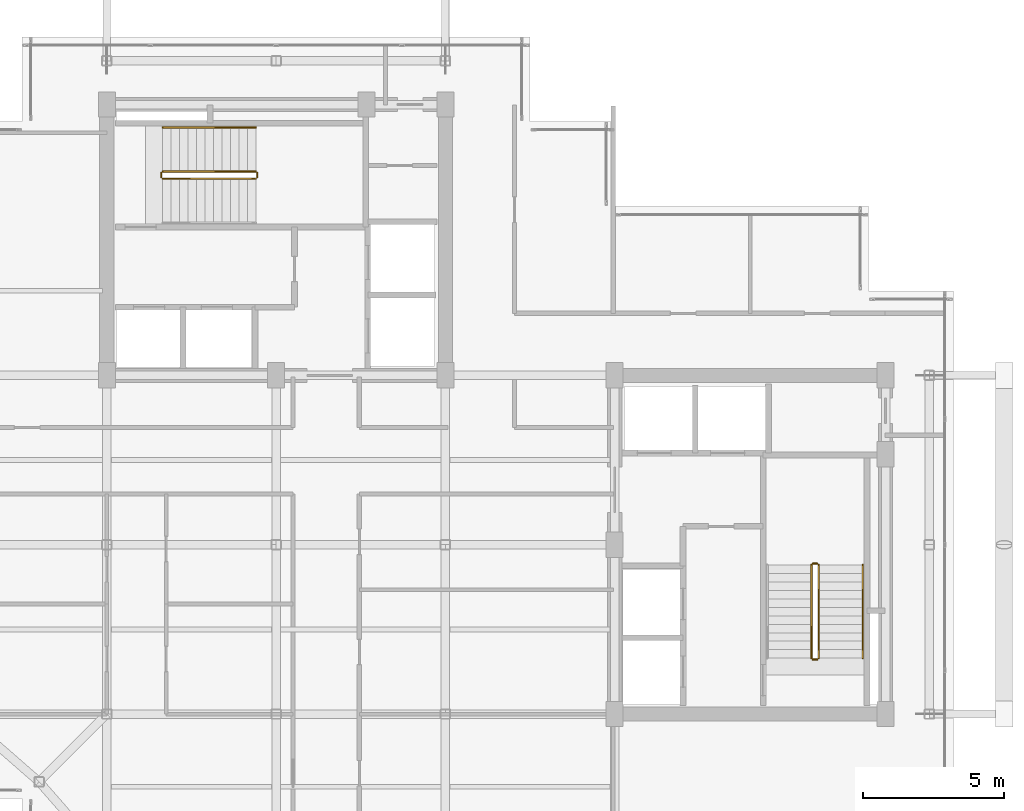
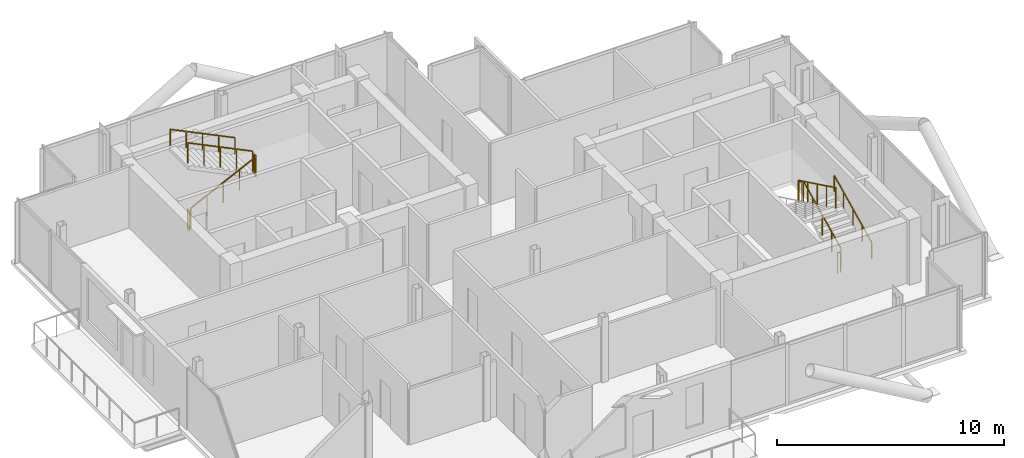
# One storey, part 18 of 18: 10 railings.
"""IFC4 building model written with IfcOpenShell, lengths in metres."""

from ifc_helpers import new_model, si_unit, direction, frame, origin, origin_2d, place, context, subcontext, project, spatial, rectangle, extrude, material, type_object, element, save


model = new_model("IFC4")

# Units and contexts
model_context = context("Model", 3, precision=1e-05, world=origin(), true_north=direction((0.0, 1.0)))
body_context = subcontext(model_context, "Body", "Model", "MODEL_VIEW")
ifc_project = project(units=[si_unit("LENGTHUNIT", "METRE"), si_unit("AREAUNIT", "SQUARE_METRE"), si_unit("VOLUMEUNIT", "CUBIC_METRE"), si_unit("PLANEANGLEUNIT", "RADIAN"), si_unit("MASSUNIT", "GRAM", prefix="KILO"), si_unit("THERMODYNAMICTEMPERATUREUNIT", "KELVIN"), si_unit("POWERUNIT", "WATT")], contexts=[model_context])

# Site, building, storey
site_placement = place(None, origin())
site = spatial("IfcSite", under=ifc_project, at=site_placement, CompositionType="ELEMENT")
building_placement = place(site_placement, origin())
building = spatial("IfcBuilding", under=site, at=building_placement, Name="Svarakhadi Broadcast Tower", CompositionType="ELEMENT")
storey_placement = place(building_placement, frame((0.0, 0.0, 264.199951171875)))
storey = spatial("IfcBuildingStorey", under=building, at=storey_placement, Name="L66", CompositionType="ELEMENT", Elevation=264.199951171875)

# Railings
ifc_material = material(Name="Anodised Bronze Aluminium AA 6063-T6", Category="aluminium")
railing_type_1 = type_object("IfcRailingType", Name="Guard_Stair_GR01", PredefinedType="GUARDRAIL", material=ifc_material)
railing_1_placement = place(storey_placement, frame((7.97998046875, 24.969970703125, 0.14599609375)))
element("IfcRailing", 1, at=railing_1_placement, inside=storey, type_object=railing_type_1, Name="L66 ST-01 stair guard 1", PredefinedType="GUARDRAIL", context=body_context, shape_type="SweptSolid", body=[
    extrude(rectangle(XDim=0.048095703125, YDim=0.048095703125, at=origin_2d()), frame((0.0, 0.0, 1.09619140625), z_axis=(0.899387838337, 0.0, 0.437151594131), x_axis=(0.0, 1.0, 0.0)), (0.0, 0.0, 1.0), 3.669189453125),
    extrude(rectangle(XDim=0.0419921875, YDim=0.0419921875, at=origin_2d()), origin(), (0.0, 0.0, 1.0), 1.072021484375),
    extrude(rectangle(XDim=0.0419921875, YDim=0.0419921875, at=origin_2d()), frame((0.824951171875, 0.0, 0.40087890625)), (0.0, 0.0, 1.0), 1.072021484375),
    extrude(rectangle(XDim=0.0419921875, YDim=0.0419921875, at=origin_2d()), frame((1.64990234375, 0.0, 0.802001953125)), (0.0, 0.0, 1.0), 1.072021484375),
    extrude(rectangle(XDim=0.0419921875, YDim=0.0419921875, at=origin_2d()), frame((2.47509765625, 0.0, 1.203125)), (0.0, 0.0, 1.0), 1.072021484375),
    extrude(rectangle(XDim=0.0419921875, YDim=0.0419921875, at=origin_2d()), frame((3.300048828125, 0.0, 1.60400390625)), (0.0, 0.0, 1.0), 1.072021484375),
])
railing_2_placement = place(storey_placement, frame((11.330078125, 25.02001953125, 1.75)))
element("IfcRailing", 2, at=railing_2_placement, inside=storey, type_object=railing_type_1, Name="L66 ST-01 stair guard 2", PredefinedType="GUARDRAIL", context=body_context, shape_type="SweptSolid", body=[
    extrude(rectangle(XDim=0.048095703125, YDim=0.048095703125, at=origin_2d()), frame((0.0, 0.0, 1.09619140625), z_axis=(0.0, 1.0, 0.0), x_axis=(-1.0, 0.0, 0.0)), (0.0, 0.0, 1.0), 0.159912109375),
    extrude(rectangle(XDim=0.0419921875, YDim=0.0419921875, at=origin_2d()), origin(), (0.0, 0.0, 1.0), 1.072021484375),
    extrude(rectangle(XDim=0.0419921875, YDim=0.0419921875, at=origin_2d()), frame((0.0, 0.159912109375, 0.0)), (0.0, 0.0, 1.0), 1.072021484375),
])
railing_3_placement = place(storey_placement, frame((11.280029296875, 25.22998046875, 1.89599609375)))
element("IfcRailing", 3, at=railing_3_placement, inside=storey, type_object=railing_type_1, Name="L66 ST-01 stair guard 3", PredefinedType="GUARDRAIL", context=body_context, shape_type="SweptSolid", body=[
    extrude(rectangle(XDim=0.048095703125, YDim=0.048095703125, at=origin_2d()), frame((0.0, 0.0, 1.09619140625), z_axis=(-0.899387838337, 0.0, 0.437151594131), x_axis=(0.0, -1.0, 0.0)), (0.0, 0.0, 1.0), 3.669189453125),
    extrude(rectangle(XDim=0.0419921875, YDim=0.0419921875, at=origin_2d()), origin(), (0.0, 0.0, 1.0), 1.072021484375),
    extrude(rectangle(XDim=0.0419921875, YDim=0.0419921875, at=origin_2d()), frame((-0.824951171875, 0.0, 0.40087890625)), (0.0, 0.0, 1.0), 1.072021484375),
    extrude(rectangle(XDim=0.0419921875, YDim=0.0419921875, at=origin_2d()), frame((-1.64990234375, 0.0, 0.802001953125)), (0.0, 0.0, 1.0), 1.072021484375),
    extrude(rectangle(XDim=0.0419921875, YDim=0.0419921875, at=origin_2d()), frame((-2.47509765625, 0.0, 1.203125)), (0.0, 0.0, 1.0), 1.072021484375),
    extrude(rectangle(XDim=0.0419921875, YDim=0.0419921875, at=origin_2d()), frame((-3.300048828125, 0.0, 1.60400390625)), (0.0, 0.0, 1.0), 1.072021484375),
])
railing_4_placement = place(storey_placement, frame((7.929931640625, 25.02001953125, 0.0)))
element("IfcRailing", 4, at=railing_4_placement, inside=storey, type_object=railing_type_1, Name="L66 ST-01 stair guard 4", PredefinedType="GUARDRAIL", context=body_context, shape_type="SweptSolid", body=[
    extrude(rectangle(XDim=0.048095703125, YDim=0.048095703125, at=origin_2d()), frame((0.0, 0.0, 1.09619140625), z_axis=(0.0, 1.0, 0.0), x_axis=(-1.0, 0.0, 0.0)), (0.0, 0.0, 1.0), 0.159912109375),
    extrude(rectangle(XDim=0.0419921875, YDim=0.0419921875, at=origin_2d()), origin(), (0.0, 0.0, 1.0), 1.072021484375),
    extrude(rectangle(XDim=0.0419921875, YDim=0.0419921875, at=origin_2d()), frame((0.0, 0.159912109375, 0.0)), (0.0, 0.0, 1.0), 1.072021484375),
])
railing_5_placement = place(storey_placement, frame((31.22998046875, 7.97998046875, 0.14599609375)))
element("IfcRailing", 5, at=railing_5_placement, inside=storey, type_object=railing_type_1, Name="L66 ST-02 stair guard 1", PredefinedType="GUARDRAIL", context=body_context, shape_type="SweptSolid", body=[
    extrude(rectangle(XDim=0.048095703125, YDim=0.048095703125, at=origin_2d()), frame((0.0, 0.0, 1.09619140625), z_axis=(0.0, 0.899387838337, 0.437151594131), x_axis=(-1.0, 0.0, 0.0)), (0.0, 0.0, 1.0), 3.669189453125),
    extrude(rectangle(XDim=0.0419921875, YDim=0.0419921875, at=origin_2d()), origin(), (0.0, 0.0, 1.0), 1.072021484375),
    extrude(rectangle(XDim=0.0419921875, YDim=0.0419921875, at=origin_2d()), frame((0.0, 0.824951171875, 0.40087890625)), (0.0, 0.0, 1.0), 1.072021484375),
    extrude(rectangle(XDim=0.0419921875, YDim=0.0419921875, at=origin_2d()), frame((0.0, 1.64990234375, 0.802001953125)), (0.0, 0.0, 1.0), 1.072021484375),
    extrude(rectangle(XDim=0.0419921875, YDim=0.0419921875, at=origin_2d()), frame((0.0, 2.47509765625, 1.203125)), (0.0, 0.0, 1.0), 1.072021484375),
    extrude(rectangle(XDim=0.0419921875, YDim=0.0419921875, at=origin_2d()), frame((0.0, 3.300048828125, 1.60400390625)), (0.0, 0.0, 1.0), 1.072021484375),
])
railing_6_placement = place(storey_placement, frame((31.179931640625, 11.330078125, 1.75)))
element("IfcRailing", 6, at=railing_6_placement, inside=storey, type_object=railing_type_1, Name="L66 ST-02 stair guard 2", PredefinedType="GUARDRAIL", context=body_context, shape_type="SweptSolid", body=[
    extrude(rectangle(XDim=0.048095703125, YDim=0.048095703125, at=origin_2d()), frame((0.0, 0.0, 1.09619140625), z_axis=(-1.0, 0.0, 0.0), x_axis=(0.0, -1.0, 0.0)), (0.0, 0.0, 1.0), 0.159912109375),
    extrude(rectangle(XDim=0.0419921875, YDim=0.0419921875, at=origin_2d()), origin(), (0.0, 0.0, 1.0), 1.072021484375),
    extrude(rectangle(XDim=0.0419921875, YDim=0.0419921875, at=origin_2d()), frame((-0.159912109375, 0.0, 0.0)), (0.0, 0.0, 1.0), 1.072021484375),
])
railing_7_placement = place(storey_placement, frame((30.969970703125, 11.280029296875, 1.89599609375)))
element("IfcRailing", 7, at=railing_7_placement, inside=storey, type_object=railing_type_1, Name="L66 ST-02 stair guard 3", PredefinedType="GUARDRAIL", context=body_context, shape_type="SweptSolid", body=[
    extrude(rectangle(XDim=0.048095703125, YDim=0.048095703125, at=origin_2d()), frame((0.0, 0.0, 1.09619140625), z_axis=(0.0, -0.899387838337, 0.437151594131), x_axis=(1.0, 0.0, 0.0)), (0.0, 0.0, 1.0), 3.669189453125),
    extrude(rectangle(XDim=0.0419921875, YDim=0.0419921875, at=origin_2d()), origin(), (0.0, 0.0, 1.0), 1.072021484375),
    extrude(rectangle(XDim=0.0419921875, YDim=0.0419921875, at=origin_2d()), frame((0.0, -0.824951171875, 0.40087890625)), (0.0, 0.0, 1.0), 1.072021484375),
    extrude(rectangle(XDim=0.0419921875, YDim=0.0419921875, at=origin_2d()), frame((0.0, -1.64990234375, 0.802001953125)), (0.0, 0.0, 1.0), 1.072021484375),
    extrude(rectangle(XDim=0.0419921875, YDim=0.0419921875, at=origin_2d()), frame((0.0, -2.47509765625, 1.203125)), (0.0, 0.0, 1.0), 1.072021484375),
    extrude(rectangle(XDim=0.0419921875, YDim=0.0419921875, at=origin_2d()), frame((0.0, -3.300048828125, 1.60400390625)), (0.0, 0.0, 1.0), 1.072021484375),
])
railing_8_placement = place(storey_placement, frame((31.179931640625, 7.929931640625, 0.0)))
element("IfcRailing", 8, at=railing_8_placement, inside=storey, type_object=railing_type_1, Name="L66 ST-02 stair guard 4", PredefinedType="GUARDRAIL", context=body_context, shape_type="SweptSolid", body=[
    extrude(rectangle(XDim=0.048095703125, YDim=0.048095703125, at=origin_2d()), frame((0.0, 0.0, 1.09619140625), z_axis=(-1.0, 0.0, 0.0), x_axis=(0.0, -1.0, 0.0)), (0.0, 0.0, 1.0), 0.159912109375),
    extrude(rectangle(XDim=0.0419921875, YDim=0.0419921875, at=origin_2d()), origin(), (0.0, 0.0, 1.0), 1.072021484375),
    extrude(rectangle(XDim=0.0419921875, YDim=0.0419921875, at=origin_2d()), frame((-0.159912109375, 0.0, 0.0)), (0.0, 0.0, 1.0), 1.072021484375),
])
railing_type_2 = type_object("IfcRailingType", Name="Handrail_Stair_HR01", PredefinedType="HANDRAIL", material=ifc_material)
railing_9_placement = place(storey_placement, frame((11.280029296875, 26.7900390625, 1.89599609375)))
element("IfcRailing", 9, at=railing_9_placement, inside=storey, type_object=railing_type_2, Name="L66 ST-01 stair handrail 2", PredefinedType="HANDRAIL", context=body_context, shape_type="SweptSolid", body=[
    extrude(rectangle(XDim=0.048095703125, YDim=0.048095703125, at=origin_2d()), frame((0.0, 0.0, 0.8759765625), z_axis=(-0.899387838337, 0.0, 0.437151594131), x_axis=(0.0, -1.0, 0.0)), (0.0, 0.0, 1.0), 3.669189453125),
    extrude(rectangle(XDim=0.0419921875, YDim=0.0419921875, at=origin_2d()), origin(), (0.0, 0.0, 1.0), 0.851806640625),
    extrude(rectangle(XDim=0.0419921875, YDim=0.0419921875, at=origin_2d()), frame((-0.824951171875, 0.0, 0.40087890625)), (0.0, 0.0, 1.0), 0.851806640625),
    extrude(rectangle(XDim=0.0419921875, YDim=0.0419921875, at=origin_2d()), frame((-1.64990234375, 0.0, 0.802001953125)), (0.0, 0.0, 1.0), 0.851806640625),
    extrude(rectangle(XDim=0.0419921875, YDim=0.0419921875, at=origin_2d()), frame((-2.47509765625, 0.0, 1.203125)), (0.0, 0.0, 1.0), 0.851806640625),
    extrude(rectangle(XDim=0.0419921875, YDim=0.0419921875, at=origin_2d()), frame((-3.300048828125, 0.0, 1.60400390625)), (0.0, 0.0, 1.0), 0.851806640625),
])
railing_10_placement = place(storey_placement, frame((32.7900390625, 7.97998046875, 0.14599609375)))
element("IfcRailing", 10, at=railing_10_placement, inside=storey, type_object=railing_type_2, Name="L66 ST-02 stair handrail 1", PredefinedType="HANDRAIL", context=body_context, shape_type="SweptSolid", body=[
    extrude(rectangle(XDim=0.048095703125, YDim=0.048095703125, at=origin_2d()), frame((0.0, 0.0, 0.8759765625), z_axis=(0.0, 0.899387838337, 0.437151594131), x_axis=(-1.0, 0.0, 0.0)), (0.0, 0.0, 1.0), 3.669189453125),
    extrude(rectangle(XDim=0.0419921875, YDim=0.0419921875, at=origin_2d()), origin(), (0.0, 0.0, 1.0), 0.851806640625),
    extrude(rectangle(XDim=0.0419921875, YDim=0.0419921875, at=origin_2d()), frame((0.0, 0.824951171875, 0.40087890625)), (0.0, 0.0, 1.0), 0.851806640625),
    extrude(rectangle(XDim=0.0419921875, YDim=0.0419921875, at=origin_2d()), frame((0.0, 1.64990234375, 0.802001953125)), (0.0, 0.0, 1.0), 0.851806640625),
    extrude(rectangle(XDim=0.0419921875, YDim=0.0419921875, at=origin_2d()), frame((0.0, 2.47509765625, 1.203125)), (0.0, 0.0, 1.0), 0.851806640625),
    extrude(rectangle(XDim=0.0419921875, YDim=0.0419921875, at=origin_2d()), frame((0.0, 3.300048828125, 1.60400390625)), (0.0, 0.0, 1.0), 0.851806640625),
])

save(model, "model.ifc")
